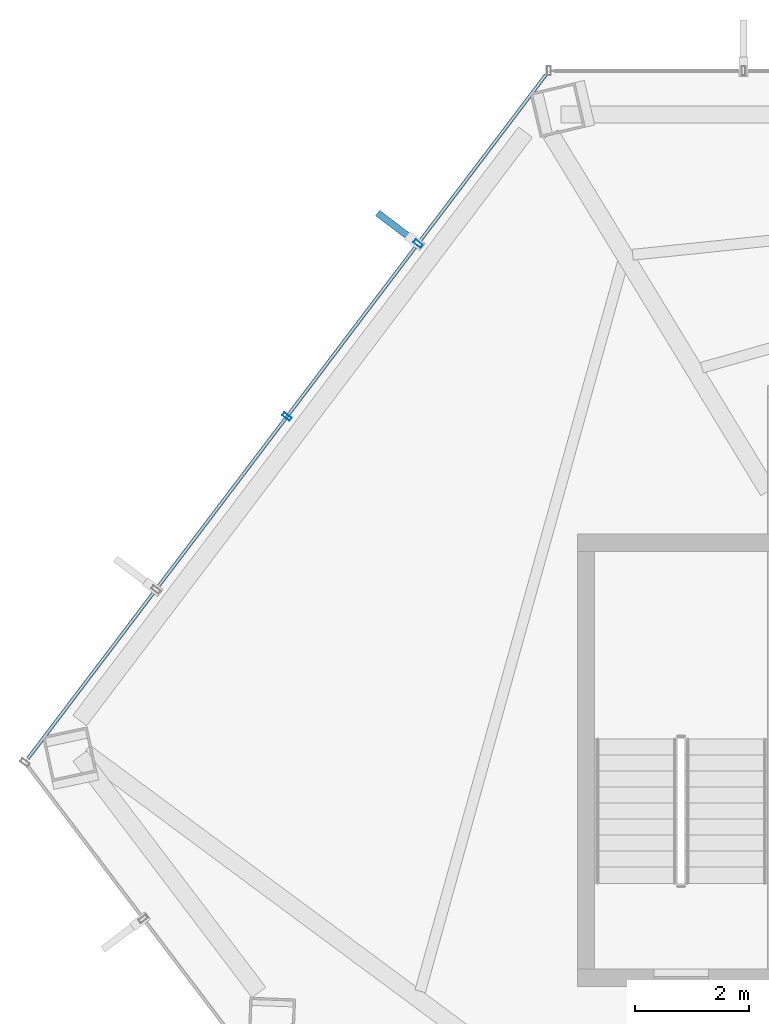
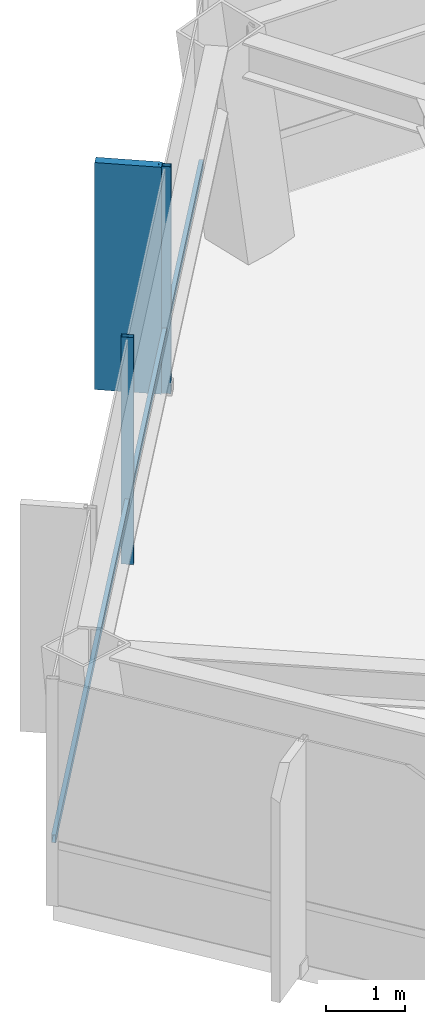
# One storey, part 12 of 29: 4 members, 1 element without a shape of its own.
"""IFC4 building model written with IfcOpenShell, lengths in metres."""

from ifc_helpers import new_model, si_unit, direction, frame, origin, origin_2d, place, context, subcontext, project, spatial, rectangle, hollow_rectangle, extrude, material, layer, layer_set, material_profile, profile_set, type_object, element, aggregate, save


model = new_model("IFC4")

# Units and contexts
model_context = context("Model", 3, precision=1e-05, world=origin(), true_north=direction((0.0, 1.0)))
body_context = subcontext(model_context, "Body", "Model", "MODEL_VIEW")
ifc_project = project(units=[si_unit("LENGTHUNIT", "METRE"), si_unit("AREAUNIT", "SQUARE_METRE"), si_unit("VOLUMEUNIT", "CUBIC_METRE"), si_unit("PLANEANGLEUNIT", "RADIAN"), si_unit("MASSUNIT", "GRAM", prefix="KILO")], contexts=[model_context])

# Site, building, storey
site_placement = place(None, origin())
site = spatial("IfcSite", under=ifc_project, at=site_placement, CompositionType="ELEMENT")
building_placement = place(site_placement, origin())
building = spatial("IfcBuilding", under=site, at=building_placement, Name="Zarrinselat Tower", CompositionType="ELEMENT")
storey_placement = place(building_placement, frame((0.0, 0.0, 142.1201171875)))
storey = spatial("IfcBuildingStorey", under=building, at=storey_placement, Name="L34", CompositionType="ELEMENT", Elevation=142.1201171875)

# Curtain wall, members
ifc_material_1 = material(Name="Extruded Aluminium Alloy EN AW-6063 T6", Category="aluminium")
ifc_layer = layer(ifc_material_1, 0.175048828125)
ifc_layer_set = layer_set([ifc_layer], Name="Extruded Aluminium Alloy EN AW-6063 T6")
curtain_wall_type = type_object("IfcCurtainWallType", Name="CWS-HTL", PredefinedType="NOTDEFINED", material=ifc_layer_set)
curtain_wall_placement = place(storey_placement, origin())
curtain_wall = element("IfcCurtainWall", 1, at=curtain_wall_placement, inside=storey, type_object=curtain_wall_type, Name="L34 Unitised Curtain Wall CW-L34-E02", PredefinedType="NOTDEFINED")
ifc_material_2 = material(Name="Extruded Aluminium Alloy EN AW-6063 T6", Category="aluminium")
ifc_material_profile_1 = material_profile(ifc_material_2, hollow_rectangle(XDim=0.070068359375, YDim=0.159912109375, WallThickness=0.00390625, at=origin_2d()), Name="RHS 160x70x4")
ifc_profile_set_1 = profile_set([ifc_material_profile_1], Name="Extruded Aluminium Alloy EN AW-6063 T6")
member_type_1 = type_object("IfcMemberType", Name="MEM-CW-MUL2", PredefinedType="MULLION", material=ifc_profile_set_1)
member_1_placement = place(storey_placement, frame((22.291748046875, 46.127685546875, 0.0), z_axis=(0.0, 0.0, 1.0), x_axis=(-0.603859211262, -0.797090994162, 0.0)))
member_1 = element("IfcMember", 2, at=member_1_placement, type_object=member_type_1, Name="CW-L34-E02 Mullion 1", PredefinedType="MULLION", context=body_context, shape_type="SweptSolid", body=[
    extrude(hollow_rectangle(XDim=0.070068359375, YDim=0.159912109375, WallThickness=0.00390625, at=origin_2d()), origin(), (0.0, 0.0, 1.0), 3.5),
])
member_2_placement = place(storey_placement, frame((20.001953125, 43.10498046875, 0.0), z_axis=(0.0, 0.0, 1.0), x_axis=(-0.603859211262, -0.797090994162, 0.0)))
member_2 = element("IfcMember", 3, at=member_2_placement, type_object=member_type_1, Name="CW-L34-E02 Mullion 2", PredefinedType="MULLION", context=body_context, shape_type="SweptSolid", body=[
    extrude(hollow_rectangle(XDim=0.070068359375, YDim=0.159912109375, WallThickness=0.00390625, at=origin_2d()), origin(), (0.0, 0.0, 1.0), 3.5),
])
ifc_material_3 = material(Name="Extruded Aluminium Alloy EN AW-6063 T6", Category="aluminium")
ifc_material_profile_2 = material_profile(ifc_material_3, hollow_rectangle(XDim=0.06005859375, YDim=0.1201171875, WallThickness=0.00390625, at=origin_2d()), Name="RHS 120x60x4")
ifc_profile_set_2 = profile_set([ifc_material_profile_2], Name="Extruded Aluminium Alloy EN AW-6063 T6")
member_type_2 = type_object("IfcMemberType", Name="MEM-CW-TRN2", PredefinedType="USERDEFINED", material=ifc_profile_set_2)
member_3_placement = place(storey_placement, frame((24.527099609375, 49.078369140625, 0.949951171875), z_axis=(-0.603860824289, -0.797089772164, 0.0), x_axis=(0.797089772164, -0.603860824289, 0.0)))
member_3 = element("IfcMember", 4, at=member_3_placement, type_object=member_type_2, Name="CW-L34-E02 Transom 1", ObjectType="TRANSOM", PredefinedType="USERDEFINED", context=body_context, shape_type="SweptSolid", body=[
    extrude(hollow_rectangle(XDim=0.06005859375, YDim=0.1201171875, WallThickness=0.00390625, at=origin_2d()), origin(), (0.0, 0.0, 1.0), 14.9873046875),
])
ifc_material_4 = material(Name="Honed Cream Travertine Stone", Category="masonry")
ifc_material_profile_3 = material_profile(ifc_material_4, rectangle(XDim=0.1201171875, YDim=0.85009765625, at=origin_2d()), Name="FIN 850x120")
ifc_profile_set_3 = profile_set([ifc_material_profile_3], Name="Honed Cream Travertine Stone")
member_type_3 = type_object("IfcMemberType", Name="MEM-STONE-FIN", PredefinedType="USERDEFINED", material=ifc_profile_set_3)
member_4_placement = place(storey_placement, frame((21.925048828125, 46.405517578125, 0.0), z_axis=(0.0, 0.0, 1.0), x_axis=(0.603859211262, 0.797090994162, 0.0)))
member_4 = element("IfcMember", 5, at=member_4_placement, type_object=member_type_3, Name="L34 Stone Shading Fin CW-L34-E02-01", ObjectType="FIN", PredefinedType="USERDEFINED", context=body_context, shape_type="SweptSolid", body=[
    extrude(rectangle(XDim=0.1201171875, YDim=0.85009765625, at=origin_2d()), origin(), (0.0, 0.0, 1.0), 3.5),
])
aggregate(curtain_wall, [member_1, member_4, member_2, member_3])

save(model, "model.ifc")
